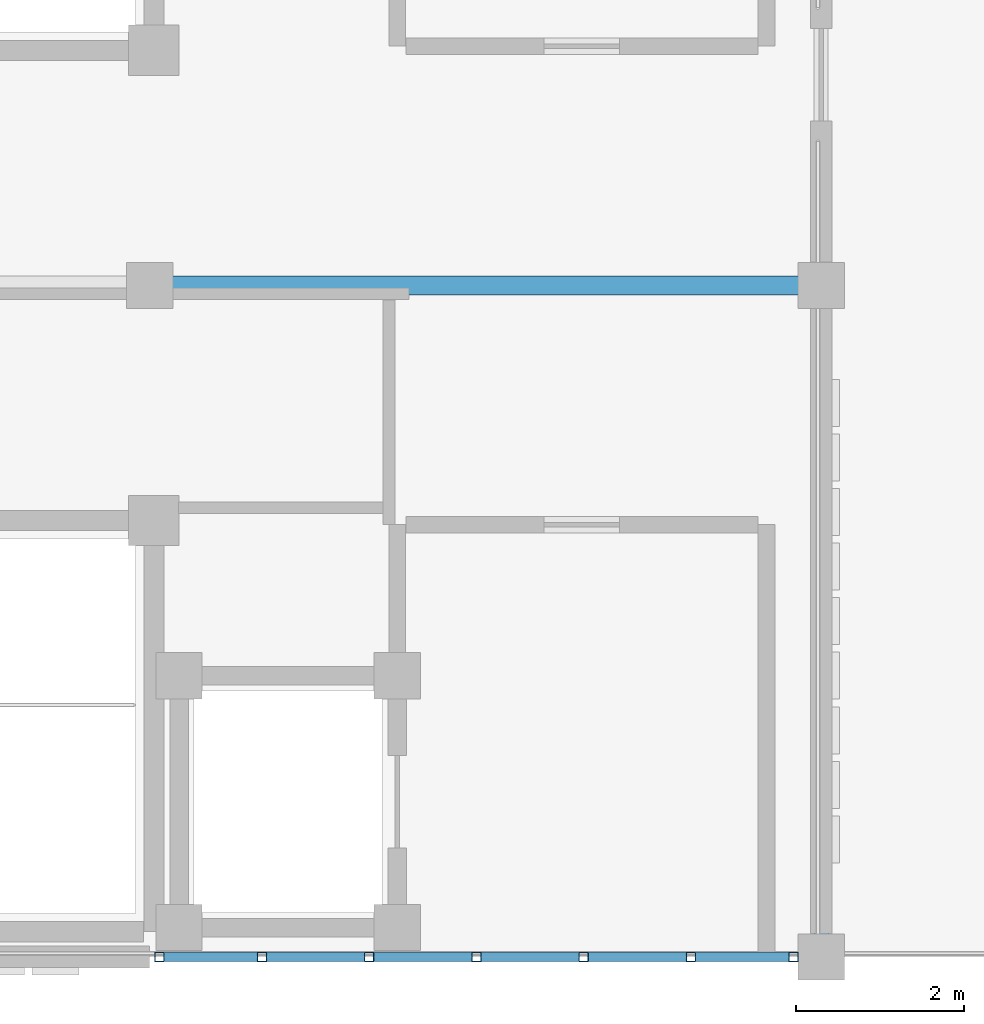
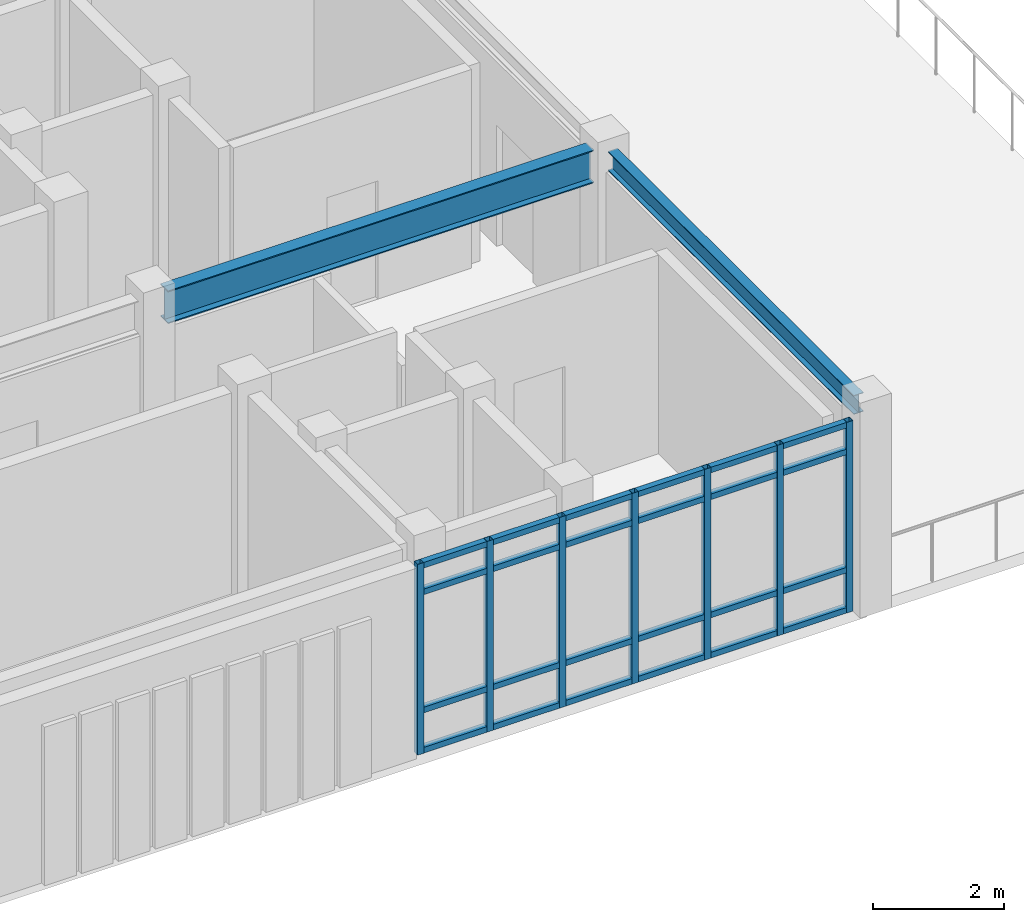
# One storey, part 4 of 11: 31 members, 2 beams, 1 element without a shape of its own.
"""IFC4 building model written with IfcOpenShell, lengths in metres."""

from ifc_helpers import new_model, si_unit, direction, frame, origin, origin_2d, place, context, subcontext, project, spatial, hollow_rectangle, i_section, extrude, material, material_profile, profile_set, type_object, element, aggregate, save


model = new_model("IFC4")

# Units and contexts
model_context = context("Model", 3, precision=1e-05, world=origin(), true_north=direction((0.0, 1.0)))
body_context = subcontext(model_context, "Body", "Model", "MODEL_VIEW")
ifc_project = project(units=[si_unit("LENGTHUNIT", "METRE"), si_unit("AREAUNIT", "SQUARE_METRE"), si_unit("VOLUMEUNIT", "CUBIC_METRE"), si_unit("PLANEANGLEUNIT", "RADIAN"), si_unit("MASSUNIT", "GRAM", prefix="KILO")], contexts=[model_context])

# Site, building, storey
site_placement = place(None, origin())
site = spatial("IfcSite", under=ifc_project, at=site_placement, CompositionType="ELEMENT")
building_placement = place(site_placement, origin())
building = spatial("IfcBuilding", under=site, at=building_placement, Name="Celadon Cloister-Ring School", CompositionType="ELEMENT")
storey_placement = place(building_placement, frame((0.0, 0.0, 20.5)))
storey = spatial("IfcBuildingStorey", under=building, at=storey_placement, Name="L05", CompositionType="ELEMENT", Elevation=20.5)

# Beam
ifc_material_1 = material(Name="Structural steel S355JR", Category="steel")
ifc_material_profile_1 = material_profile(ifc_material_1, i_section(OverallWidth=0.1708984375, OverallDepth=0.35498046875, WebThickness=0.007080078125, FlangeThickness=0.01171875, at=origin_2d()), Name="W360X51")
ifc_profile_set_1 = profile_set([ifc_material_profile_1], Name="Structural steel S355JR")
beam_type_1 = type_object("IfcBeamType", Name="BT-07", PredefinedType="BEAM", material=ifc_profile_set_1)
beam_1_placement = place(storey_placement, frame((24.0, 40.25, 3.5830078125), z_axis=(0.0, 1.0, 0.0), x_axis=(-1.0, 0.0, 0.0)))
element("IfcBeam", 1, at=beam_1_placement, inside=storey, type_object=beam_type_1, Name="Beam 1695", PredefinedType="BEAM", context=body_context, shape_type="SweptSolid", body=[
    extrude(i_section(OverallWidth=0.1708984375, OverallDepth=0.35498046875, WebThickness=0.007080078125, FlangeThickness=0.01171875, at=origin_2d()), origin(), (0.0, 0.0, 1.0), 7.5),
])

# Curtain wall, members
ifc_material_2 = material(Name="Aluminium EN AW-6063 T6", Category="aluminium")
curtain_wall_type = type_object("IfcCurtainWallType", Name="CW-17", PredefinedType="USERDEFINED", material=ifc_material_2)
curtain_wall_placement = place(storey_placement, origin())
curtain_wall = element("IfcCurtainWall", 2, at=curtain_wall_placement, inside=storey, type_object=curtain_wall_type, Name="Curtain Wall 0210", ObjectType="CURTAIN WALL", PredefinedType="USERDEFINED")
ifc_material_3 = material(Name="Aluminium EN AW-6063 T6", Category="aluminium")
ifc_material_profile_2 = material_profile(ifc_material_3, hollow_rectangle(XDim=0.110107421875, YDim=0.110107421875, WallThickness=0.0048828125, at=origin_2d()), Name="RHS110X110X5")
ifc_profile_set_2 = profile_set([ifc_material_profile_2], Name="Aluminium EN AW-6063 T6")
member_type_1 = type_object("IfcMemberType", Name="CM-01", PredefinedType="MULLION", material=ifc_profile_set_2)
member_1_placement = place(storey_placement, frame((23.669921875, 40.0, 0.0), z_axis=(0.0, 0.0, 1.0), x_axis=(0.0, -1.0, 0.0)))
member_1 = element("IfcMember", 3, at=member_1_placement, type_object=member_type_1, Name="CW-17 mullion 1", PredefinedType="MULLION", context=body_context, shape_type="SweptSolid", body=[
    extrude(hollow_rectangle(XDim=0.110107421875, YDim=0.110107421875, WallThickness=0.0048828125, at=origin_2d()), origin(), (0.0, 0.0, 1.0), 3.550048828125),
])
member_2_placement = place(storey_placement, frame((22.447509765625, 40.0, 0.0), z_axis=(0.0, 0.0, 1.0), x_axis=(0.0, -1.0, 0.0)))
member_2 = element("IfcMember", 4, at=member_2_placement, type_object=member_type_1, Name="CW-17 mullion 2", PredefinedType="MULLION", context=body_context, shape_type="SweptSolid", body=[
    extrude(hollow_rectangle(XDim=0.110107421875, YDim=0.110107421875, WallThickness=0.0048828125, at=origin_2d()), origin(), (0.0, 0.0, 1.0), 3.550048828125),
])
member_3_placement = place(storey_placement, frame((21.169921875, 40.0, 0.0), z_axis=(0.0, 0.0, 1.0), x_axis=(0.0, -1.0, 0.0)))
member_3 = element("IfcMember", 5, at=member_3_placement, type_object=member_type_1, Name="CW-17 mullion 3", PredefinedType="MULLION", context=body_context, shape_type="SweptSolid", body=[
    extrude(hollow_rectangle(XDim=0.110107421875, YDim=0.110107421875, WallThickness=0.0048828125, at=origin_2d()), origin(), (0.0, 0.0, 1.0), 3.550048828125),
])
member_4_placement = place(storey_placement, frame((19.892578125, 40.0, 0.0), z_axis=(0.0, 0.0, 1.0), x_axis=(0.0, -1.0, 0.0)))
member_4 = element("IfcMember", 6, at=member_4_placement, type_object=member_type_1, Name="CW-17 mullion 4", PredefinedType="MULLION", context=body_context, shape_type="SweptSolid", body=[
    extrude(hollow_rectangle(XDim=0.110107421875, YDim=0.110107421875, WallThickness=0.0048828125, at=origin_2d()), origin(), (0.0, 0.0, 1.0), 3.550048828125),
])
member_5_placement = place(storey_placement, frame((18.614990234375, 40.0, 0.0), z_axis=(0.0, 0.0, 1.0), x_axis=(0.0, -1.0, 0.0)))
member_5 = element("IfcMember", 7, at=member_5_placement, type_object=member_type_1, Name="CW-17 mullion 5", PredefinedType="MULLION", context=body_context, shape_type="SweptSolid", body=[
    extrude(hollow_rectangle(XDim=0.110107421875, YDim=0.110107421875, WallThickness=0.0048828125, at=origin_2d()), origin(), (0.0, 0.0, 1.0), 3.550048828125),
])
member_6_placement = place(storey_placement, frame((17.33740234375, 40.0, 0.0), z_axis=(0.0, 0.0, 1.0), x_axis=(0.0, -1.0, 0.0)))
member_6 = element("IfcMember", 8, at=member_6_placement, type_object=member_type_1, Name="CW-17 mullion 6", PredefinedType="MULLION", context=body_context, shape_type="SweptSolid", body=[
    extrude(hollow_rectangle(XDim=0.110107421875, YDim=0.110107421875, WallThickness=0.0048828125, at=origin_2d()), origin(), (0.0, 0.0, 1.0), 3.550048828125),
])
member_7_placement = place(storey_placement, frame((16.114990234375, 40.0, 0.0), z_axis=(0.0, 0.0, 1.0), x_axis=(0.0, -1.0, 0.0)))
member_7 = element("IfcMember", 9, at=member_7_placement, type_object=member_type_1, Name="CW-17 mullion 7", PredefinedType="MULLION", context=body_context, shape_type="SweptSolid", body=[
    extrude(hollow_rectangle(XDim=0.110107421875, YDim=0.110107421875, WallThickness=0.0048828125, at=origin_2d()), origin(), (0.0, 0.0, 1.0), 3.550048828125),
])
ifc_material_4 = material(Name="Aluminium EN AW-6063 T6", Category="aluminium")
ifc_material_profile_3 = material_profile(ifc_material_4, hollow_rectangle(XDim=0.10498046875, YDim=0.10498046875, WallThickness=0.0048828125, at=origin_2d()), Name="RHS105X105X5")
ifc_profile_set_3 = profile_set([ifc_material_profile_3], Name="Aluminium EN AW-6063 T6")
member_type_2 = type_object("IfcMemberType", Name="CTM-01", PredefinedType="USERDEFINED", material=ifc_profile_set_3)
member_8_placement = place(storey_placement, frame((23.614990234375, 40.0, 0.052490234375), z_axis=(-1.0, 0.0, 0.0), x_axis=(0.0, -1.0, 0.0)))
member_8 = element("IfcMember", 10, at=member_8_placement, type_object=member_type_2, Name="CW-17 transom 1.1", ObjectType="TRANSOM", PredefinedType="USERDEFINED", context=body_context, shape_type="SweptSolid", body=[
    extrude(hollow_rectangle(XDim=0.10498046875, YDim=0.10498046875, WallThickness=0.0048828125, at=origin_2d()), origin(), (0.0, 0.0, 1.0), 1.112548828125),
])
member_9_placement = place(storey_placement, frame((23.614990234375, 40.0, 0.800048828125), z_axis=(-1.0, 0.0, 0.0), x_axis=(0.0, -1.0, 0.0)))
member_9 = element("IfcMember", 11, at=member_9_placement, type_object=member_type_2, Name="CW-17 transom 1.2", ObjectType="TRANSOM", PredefinedType="USERDEFINED", context=body_context, shape_type="SweptSolid", body=[
    extrude(hollow_rectangle(XDim=0.10498046875, YDim=0.10498046875, WallThickness=0.0048828125, at=origin_2d()), origin(), (0.0, 0.0, 1.0), 1.112548828125),
])
member_10_placement = place(storey_placement, frame((23.614990234375, 40.0, 3.0), z_axis=(-1.0, 0.0, 0.0), x_axis=(0.0, -1.0, 0.0)))
member_10 = element("IfcMember", 12, at=member_10_placement, type_object=member_type_2, Name="CW-17 transom 1.3", ObjectType="TRANSOM", PredefinedType="USERDEFINED", context=body_context, shape_type="SweptSolid", body=[
    extrude(hollow_rectangle(XDim=0.10498046875, YDim=0.10498046875, WallThickness=0.0048828125, at=origin_2d()), origin(), (0.0, 0.0, 1.0), 1.112548828125),
])
member_11_placement = place(storey_placement, frame((23.614990234375, 40.0, 3.49755859375), z_axis=(-1.0, 0.0, 0.0), x_axis=(0.0, -1.0, 0.0)))
member_11 = element("IfcMember", 13, at=member_11_placement, type_object=member_type_2, Name="CW-17 transom 1.4", ObjectType="TRANSOM", PredefinedType="USERDEFINED", context=body_context, shape_type="SweptSolid", body=[
    extrude(hollow_rectangle(XDim=0.10498046875, YDim=0.10498046875, WallThickness=0.0048828125, at=origin_2d()), origin(), (0.0, 0.0, 1.0), 1.112548828125),
])
member_12_placement = place(storey_placement, frame((22.392578125, 40.0, 0.052490234375), z_axis=(-1.0, 0.0, 0.0), x_axis=(0.0, -1.0, 0.0)))
member_12 = element("IfcMember", 14, at=member_12_placement, type_object=member_type_2, Name="CW-17 transom 2.1", ObjectType="TRANSOM", PredefinedType="USERDEFINED", context=body_context, shape_type="SweptSolid", body=[
    extrude(hollow_rectangle(XDim=0.10498046875, YDim=0.10498046875, WallThickness=0.0048828125, at=origin_2d()), origin(), (0.0, 0.0, 1.0), 1.16748046875),
])
member_13_placement = place(storey_placement, frame((22.392578125, 40.0, 0.800048828125), z_axis=(-1.0, 0.0, 0.0), x_axis=(0.0, -1.0, 0.0)))
member_13 = element("IfcMember", 15, at=member_13_placement, type_object=member_type_2, Name="CW-17 transom 2.2", ObjectType="TRANSOM", PredefinedType="USERDEFINED", context=body_context, shape_type="SweptSolid", body=[
    extrude(hollow_rectangle(XDim=0.10498046875, YDim=0.10498046875, WallThickness=0.0048828125, at=origin_2d()), origin(), (0.0, 0.0, 1.0), 1.16748046875),
])
member_14_placement = place(storey_placement, frame((22.392578125, 40.0, 3.0), z_axis=(-1.0, 0.0, 0.0), x_axis=(0.0, -1.0, 0.0)))
member_14 = element("IfcMember", 16, at=member_14_placement, type_object=member_type_2, Name="CW-17 transom 2.3", ObjectType="TRANSOM", PredefinedType="USERDEFINED", context=body_context, shape_type="SweptSolid", body=[
    extrude(hollow_rectangle(XDim=0.10498046875, YDim=0.10498046875, WallThickness=0.0048828125, at=origin_2d()), origin(), (0.0, 0.0, 1.0), 1.16748046875),
])
member_15_placement = place(storey_placement, frame((22.392578125, 40.0, 3.49755859375), z_axis=(-1.0, 0.0, 0.0), x_axis=(0.0, -1.0, 0.0)))
member_15 = element("IfcMember", 17, at=member_15_placement, type_object=member_type_2, Name="CW-17 transom 2.4", ObjectType="TRANSOM", PredefinedType="USERDEFINED", context=body_context, shape_type="SweptSolid", body=[
    extrude(hollow_rectangle(XDim=0.10498046875, YDim=0.10498046875, WallThickness=0.0048828125, at=origin_2d()), origin(), (0.0, 0.0, 1.0), 1.16748046875),
])
member_16_placement = place(storey_placement, frame((21.114990234375, 40.0, 0.052490234375), z_axis=(-1.0, 0.0, 0.0), x_axis=(0.0, -1.0, 0.0)))
member_16 = element("IfcMember", 18, at=member_16_placement, type_object=member_type_2, Name="CW-17 transom 3.1", ObjectType="TRANSOM", PredefinedType="USERDEFINED", context=body_context, shape_type="SweptSolid", body=[
    extrude(hollow_rectangle(XDim=0.10498046875, YDim=0.10498046875, WallThickness=0.0048828125, at=origin_2d()), origin(), (0.0, 0.0, 1.0), 1.16748046875),
])
member_17_placement = place(storey_placement, frame((21.114990234375, 40.0, 0.800048828125), z_axis=(-1.0, 0.0, 0.0), x_axis=(0.0, -1.0, 0.0)))
member_17 = element("IfcMember", 19, at=member_17_placement, type_object=member_type_2, Name="CW-17 transom 3.2", ObjectType="TRANSOM", PredefinedType="USERDEFINED", context=body_context, shape_type="SweptSolid", body=[
    extrude(hollow_rectangle(XDim=0.10498046875, YDim=0.10498046875, WallThickness=0.0048828125, at=origin_2d()), origin(), (0.0, 0.0, 1.0), 1.16748046875),
])
member_18_placement = place(storey_placement, frame((21.114990234375, 40.0, 3.0), z_axis=(-1.0, 0.0, 0.0), x_axis=(0.0, -1.0, 0.0)))
member_18 = element("IfcMember", 20, at=member_18_placement, type_object=member_type_2, Name="CW-17 transom 3.3", ObjectType="TRANSOM", PredefinedType="USERDEFINED", context=body_context, shape_type="SweptSolid", body=[
    extrude(hollow_rectangle(XDim=0.10498046875, YDim=0.10498046875, WallThickness=0.0048828125, at=origin_2d()), origin(), (0.0, 0.0, 1.0), 1.16748046875),
])
member_19_placement = place(storey_placement, frame((21.114990234375, 40.0, 3.49755859375), z_axis=(-1.0, 0.0, 0.0), x_axis=(0.0, -1.0, 0.0)))
member_19 = element("IfcMember", 21, at=member_19_placement, type_object=member_type_2, Name="CW-17 transom 3.4", ObjectType="TRANSOM", PredefinedType="USERDEFINED", context=body_context, shape_type="SweptSolid", body=[
    extrude(hollow_rectangle(XDim=0.10498046875, YDim=0.10498046875, WallThickness=0.0048828125, at=origin_2d()), origin(), (0.0, 0.0, 1.0), 1.16748046875),
])
member_20_placement = place(storey_placement, frame((19.83740234375, 40.0, 0.052490234375), z_axis=(-1.0, 0.0, 0.0), x_axis=(0.0, -1.0, 0.0)))
member_20 = element("IfcMember", 22, at=member_20_placement, type_object=member_type_2, Name="CW-17 transom 4.1", ObjectType="TRANSOM", PredefinedType="USERDEFINED", context=body_context, shape_type="SweptSolid", body=[
    extrude(hollow_rectangle(XDim=0.10498046875, YDim=0.10498046875, WallThickness=0.0048828125, at=origin_2d()), origin(), (0.0, 0.0, 1.0), 1.16748046875),
])
member_21_placement = place(storey_placement, frame((19.83740234375, 40.0, 0.800048828125), z_axis=(-1.0, 0.0, 0.0), x_axis=(0.0, -1.0, 0.0)))
member_21 = element("IfcMember", 23, at=member_21_placement, type_object=member_type_2, Name="CW-17 transom 4.2", ObjectType="TRANSOM", PredefinedType="USERDEFINED", context=body_context, shape_type="SweptSolid", body=[
    extrude(hollow_rectangle(XDim=0.10498046875, YDim=0.10498046875, WallThickness=0.0048828125, at=origin_2d()), origin(), (0.0, 0.0, 1.0), 1.16748046875),
])
member_22_placement = place(storey_placement, frame((19.83740234375, 40.0, 3.0), z_axis=(-1.0, 0.0, 0.0), x_axis=(0.0, -1.0, 0.0)))
member_22 = element("IfcMember", 24, at=member_22_placement, type_object=member_type_2, Name="CW-17 transom 4.3", ObjectType="TRANSOM", PredefinedType="USERDEFINED", context=body_context, shape_type="SweptSolid", body=[
    extrude(hollow_rectangle(XDim=0.10498046875, YDim=0.10498046875, WallThickness=0.0048828125, at=origin_2d()), origin(), (0.0, 0.0, 1.0), 1.16748046875),
])
member_23_placement = place(storey_placement, frame((19.83740234375, 40.0, 3.49755859375), z_axis=(-1.0, 0.0, 0.0), x_axis=(0.0, -1.0, 0.0)))
member_23 = element("IfcMember", 25, at=member_23_placement, type_object=member_type_2, Name="CW-17 transom 4.4", ObjectType="TRANSOM", PredefinedType="USERDEFINED", context=body_context, shape_type="SweptSolid", body=[
    extrude(hollow_rectangle(XDim=0.10498046875, YDim=0.10498046875, WallThickness=0.0048828125, at=origin_2d()), origin(), (0.0, 0.0, 1.0), 1.16748046875),
])
member_24_placement = place(storey_placement, frame((18.56005859375, 40.0, 0.052490234375), z_axis=(-1.0, 0.0, 0.0), x_axis=(0.0, -1.0, 0.0)))
member_24 = element("IfcMember", 26, at=member_24_placement, type_object=member_type_2, Name="CW-17 transom 5.1", ObjectType="TRANSOM", PredefinedType="USERDEFINED", context=body_context, shape_type="SweptSolid", body=[
    extrude(hollow_rectangle(XDim=0.10498046875, YDim=0.10498046875, WallThickness=0.0048828125, at=origin_2d()), origin(), (0.0, 0.0, 1.0), 1.16748046875),
])
member_25_placement = place(storey_placement, frame((18.56005859375, 40.0, 0.800048828125), z_axis=(-1.0, 0.0, 0.0), x_axis=(0.0, -1.0, 0.0)))
member_25 = element("IfcMember", 27, at=member_25_placement, type_object=member_type_2, Name="CW-17 transom 5.2", ObjectType="TRANSOM", PredefinedType="USERDEFINED", context=body_context, shape_type="SweptSolid", body=[
    extrude(hollow_rectangle(XDim=0.10498046875, YDim=0.10498046875, WallThickness=0.0048828125, at=origin_2d()), origin(), (0.0, 0.0, 1.0), 1.16748046875),
])
member_26_placement = place(storey_placement, frame((18.56005859375, 40.0, 3.0), z_axis=(-1.0, 0.0, 0.0), x_axis=(0.0, -1.0, 0.0)))
member_26 = element("IfcMember", 28, at=member_26_placement, type_object=member_type_2, Name="CW-17 transom 5.3", ObjectType="TRANSOM", PredefinedType="USERDEFINED", context=body_context, shape_type="SweptSolid", body=[
    extrude(hollow_rectangle(XDim=0.10498046875, YDim=0.10498046875, WallThickness=0.0048828125, at=origin_2d()), origin(), (0.0, 0.0, 1.0), 1.16748046875),
])
member_27_placement = place(storey_placement, frame((18.56005859375, 40.0, 3.49755859375), z_axis=(-1.0, 0.0, 0.0), x_axis=(0.0, -1.0, 0.0)))
member_27 = element("IfcMember", 29, at=member_27_placement, type_object=member_type_2, Name="CW-17 transom 5.4", ObjectType="TRANSOM", PredefinedType="USERDEFINED", context=body_context, shape_type="SweptSolid", body=[
    extrude(hollow_rectangle(XDim=0.10498046875, YDim=0.10498046875, WallThickness=0.0048828125, at=origin_2d()), origin(), (0.0, 0.0, 1.0), 1.16748046875),
])
member_28_placement = place(storey_placement, frame((17.282470703125, 40.0, 0.052490234375), z_axis=(-1.0, 0.0, 0.0), x_axis=(0.0, -1.0, 0.0)))
member_28 = element("IfcMember", 30, at=member_28_placement, type_object=member_type_2, Name="CW-17 transom 6.1", ObjectType="TRANSOM", PredefinedType="USERDEFINED", context=body_context, shape_type="SweptSolid", body=[
    extrude(hollow_rectangle(XDim=0.10498046875, YDim=0.10498046875, WallThickness=0.0048828125, at=origin_2d()), origin(), (0.0, 0.0, 1.0), 1.112548828125),
])
member_29_placement = place(storey_placement, frame((17.282470703125, 40.0, 0.800048828125), z_axis=(-1.0, 0.0, 0.0), x_axis=(0.0, -1.0, 0.0)))
member_29 = element("IfcMember", 31, at=member_29_placement, type_object=member_type_2, Name="CW-17 transom 6.2", ObjectType="TRANSOM", PredefinedType="USERDEFINED", context=body_context, shape_type="SweptSolid", body=[
    extrude(hollow_rectangle(XDim=0.10498046875, YDim=0.10498046875, WallThickness=0.0048828125, at=origin_2d()), origin(), (0.0, 0.0, 1.0), 1.112548828125),
])
member_30_placement = place(storey_placement, frame((17.282470703125, 40.0, 3.0), z_axis=(-1.0, 0.0, 0.0), x_axis=(0.0, -1.0, 0.0)))
member_30 = element("IfcMember", 32, at=member_30_placement, type_object=member_type_2, Name="CW-17 transom 6.3", ObjectType="TRANSOM", PredefinedType="USERDEFINED", context=body_context, shape_type="SweptSolid", body=[
    extrude(hollow_rectangle(XDim=0.10498046875, YDim=0.10498046875, WallThickness=0.0048828125, at=origin_2d()), origin(), (0.0, 0.0, 1.0), 1.112548828125),
])
member_31_placement = place(storey_placement, frame((17.282470703125, 40.0, 3.49755859375), z_axis=(-1.0, 0.0, 0.0), x_axis=(0.0, -1.0, 0.0)))
member_31 = element("IfcMember", 33, at=member_31_placement, type_object=member_type_2, Name="CW-17 transom 6.4", ObjectType="TRANSOM", PredefinedType="USERDEFINED", context=body_context, shape_type="SweptSolid", body=[
    extrude(hollow_rectangle(XDim=0.10498046875, YDim=0.10498046875, WallThickness=0.0048828125, at=origin_2d()), origin(), (0.0, 0.0, 1.0), 1.112548828125),
])
aggregate(curtain_wall, [member_1, member_2, member_3, member_4, member_5, member_6, member_7, member_8, member_9, member_10, member_11, member_12, member_13, member_14, member_15, member_16, member_17, member_18, member_19, member_20, member_21, member_22, member_23, member_24, member_25, member_26, member_27, member_28, member_29, member_30, member_31])

# Beam
ifc_material_5 = material(Name="Structural steel S355JR", Category="steel")
ifc_material_profile_4 = material_profile(ifc_material_5, i_section(OverallWidth=0.22900390625, OverallDepth=0.612060546875, WebThickness=0.011962890625, FlangeThickness=0.01953125, at=origin_2d()), Name="W610X125")
ifc_profile_set_4 = profile_set([ifc_material_profile_4], Name="Structural steel S355JR")
beam_type_2 = type_object("IfcBeamType", Name="GT-05", PredefinedType="USERDEFINED", material=ifc_profile_set_4)
beam_2_placement = place(storey_placement, frame((16.25, 48.0, 3.4541015625), z_axis=(1.0, 0.0, 0.0), x_axis=(0.0, 1.0, 0.0)))
element("IfcBeam", 34, at=beam_2_placement, inside=storey, type_object=beam_type_2, Name="Beam 1682", ObjectType="GIRDER", PredefinedType="USERDEFINED", context=body_context, shape_type="SweptSolid", body=[
    extrude(i_section(OverallWidth=0.22900390625, OverallDepth=0.612060546875, WebThickness=0.011962890625, FlangeThickness=0.01953125, at=origin_2d()), origin(), (0.0, 0.0, 1.0), 7.5),
])

save(model, "model.ifc")
